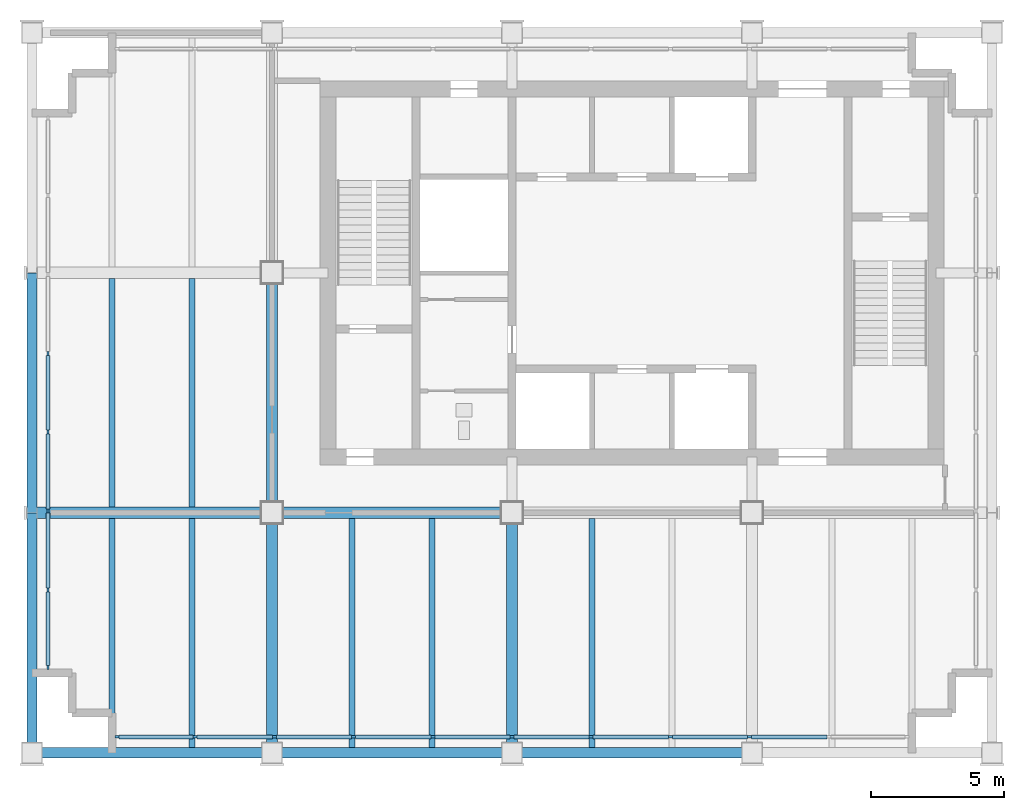
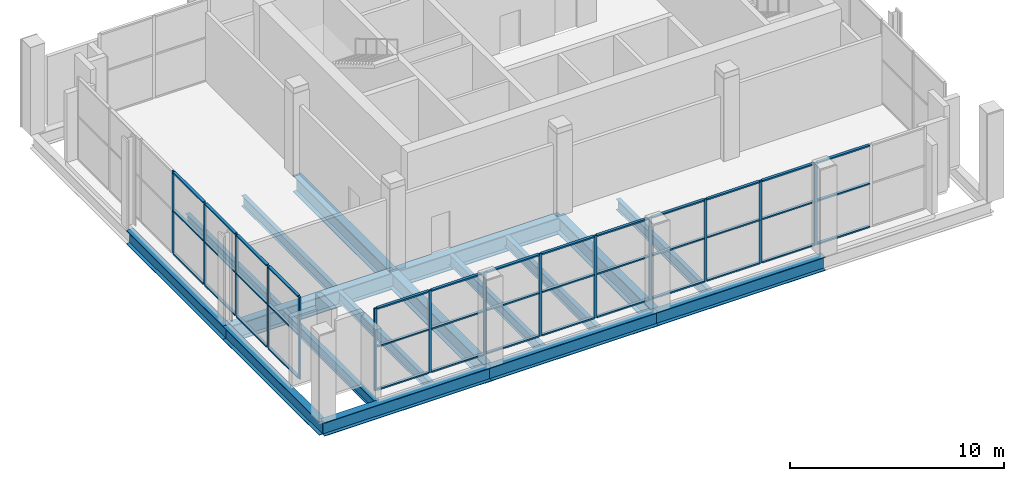
# One storey, part 2 of 10: 53 members, 17 beams, 2 elements without a shape of their own.
"""IFC4 building model written with IfcOpenShell, lengths in metres."""

from ifc_helpers import new_model, si_unit, direction, frame, origin, origin_2d, place, context, subcontext, project, spatial, rectangle, i_section, extrude, material, material_profile, profile_set, type_object, element, aggregate, save


model = new_model("IFC4")

# Units and contexts
model_context = context("Model", 3, precision=1e-05, world=origin(), true_north=direction((0.0, 1.0)))
body_context = subcontext(model_context, "Body", "Model", "MODEL_VIEW")
ifc_project = project(units=[si_unit("LENGTHUNIT", "METRE"), si_unit("AREAUNIT", "SQUARE_METRE"), si_unit("VOLUMEUNIT", "CUBIC_METRE"), si_unit("PLANEANGLEUNIT", "RADIAN"), si_unit("MASSUNIT", "GRAM", prefix="KILO")], contexts=[model_context])

# Site, building, storey
site_placement = place(None, origin())
site = spatial("IfcSite", under=ifc_project, at=site_placement, CompositionType="ELEMENT")
building_placement = place(site_placement, origin())
building = spatial("IfcBuilding", under=site, at=building_placement, Name="Loomwork Tower", CompositionType="ELEMENT")
storey_placement = place(building_placement, frame((0.0, 0.0, 274.800048828125)))
storey = spatial("IfcBuildingStorey", under=building, at=storey_placement, Name="L75", CompositionType="ELEMENT", Elevation=274.800048828125)

# Beams
ifc_material_1 = material(Name="Steel ASTM A992", Category="steel")
ifc_material_profile_1 = material_profile(ifc_material_1, i_section(OverallWidth=0.424072265625, OverallDepth=0.947509765625, WebThickness=0.02392578125, FlangeThickness=0.042724609375, at=origin_2d()), Name="W36x302")
ifc_profile_set_1 = profile_set([ifc_material_profile_1], Name="Steel ASTM A992")
beam_type_1 = type_object("IfcBeamType", Name="PLANT FLOOR GIRDER W36x302", PredefinedType="BEAM", material=ifc_profile_set_1)
for number, where, z_axis, x_axis, name in (
    (1, (0.0, 9.0, -0.723876953125), (1.0, 0.0, 0.0), (0.0, 1.0, 0.0), "Plant Floor Girder E/2-E/3 L75"),
    (2, (9.0, 9.0, -0.723876953125), (1.0, 0.0, 0.0), (0.0, 1.0, 0.0), "Plant Floor Girder E/3-E/4 L75"),
    (3, (9.0, 0.0, -0.723876953125), (0.0, 1.0, 0.0), (-1.0, 0.0, 0.0), "Plant Floor Girder D/3-E/3 L75"),
    (4, (9.0, 9.0, -0.723876953125), (0.0, 1.0, 0.0), (-1.0, 0.0, 0.0), "Plant Floor Girder E/3-F/3 L75"),
    (5, (18.0, 0.0, -0.723876953125), (0.0, 1.0, 0.0), (-1.0, 0.0, 0.0), "Plant Floor Girder D/4-E/4 L75"),
):
    element("IfcBeam", number, at=place(storey_placement, frame(where, z_axis=z_axis, x_axis=x_axis)), inside=storey, type_object=beam_type_1, Name=name, PredefinedType="BEAM", context=body_context, shape_type="SweptSolid", body=[
        extrude(i_section(OverallWidth=0.424072265625, OverallDepth=0.947509765625, WebThickness=0.02392578125, FlangeThickness=0.042724609375, at=origin_2d()), origin(), (0.0, 0.0, 1.0), 9.0),
    ])
ifc_material_2 = material(Name="Steel ASTM A992", Category="steel")
ifc_material_profile_2 = material_profile(ifc_material_2, i_section(OverallWidth=0.228271484375, OverallDepth=0.607177734375, WebThickness=0.01123046875, FlangeThickness=0.017333984375, at=origin_2d()), Name="W24x76")
ifc_profile_set_2 = profile_set([ifc_material_profile_2], Name="Steel ASTM A992")
beam_type_2 = type_object("IfcBeamType", Name="PLANT FLOOR JOIST W24x76", PredefinedType="JOIST", material=ifc_profile_set_2)
for number, where, z_axis, x_axis, name in (
    (6, (3.0, 0.18994140625, -0.553466796875), (0.0, 1.0, 0.0), (-1.0, 0.0, 0.0), "Plant Floor Joist 3.000,0.000-3.000,9.000 L75"),
    (7, (6.0, 0.18994140625, -0.553466796875), (0.0, 1.0, 0.0), (-1.0, 0.0, 0.0), "Plant Floor Joist 6.000,0.000-6.000,9.000 L75"),
):
    element("IfcBeam", number, at=place(storey_placement, frame(where, z_axis=z_axis, x_axis=x_axis)), inside=storey, type_object=beam_type_2, Name=name, PredefinedType="JOIST", context=body_context, shape_type="SweptSolid", body=[
        extrude(i_section(OverallWidth=0.228271484375, OverallDepth=0.607177734375, WebThickness=0.01123046875, FlangeThickness=0.017333984375, at=origin_2d()), origin(), (0.0, 0.0, 1.0), 8.59814453125),
    ])
for number, where, z_axis, x_axis, name in (
    (8, (3.0, 9.2119140625, -0.553466796875), (0.0, 1.0, 0.0), (-1.0, 0.0, 0.0), "Plant Floor Joist 3.000,9.000-3.000,18.000 L75"),
    (9, (6.0, 9.2119140625, -0.553466796875), (0.0, 1.0, 0.0), (-1.0, 0.0, 0.0), "Plant Floor Joist 6.000,9.000-6.000,18.000 L75"),
):
    element("IfcBeam", number, at=place(storey_placement, frame(where, z_axis=z_axis, x_axis=x_axis)), inside=storey, type_object=beam_type_2, Name=name, PredefinedType="JOIST", context=body_context, shape_type="SweptSolid", body=[
        extrude(i_section(OverallWidth=0.228271484375, OverallDepth=0.607177734375, WebThickness=0.01123046875, FlangeThickness=0.017333984375, at=origin_2d()), origin(), (0.0, 0.0, 1.0), 8.576171875),
    ])
for number, where, z_axis, x_axis, name in (
    (10, (12.0, 0.18994140625, -0.553466796875), (0.0, 1.0, 0.0), (-1.0, 0.0, 0.0), "Plant Floor Joist 12.000,0.000-12.000,9.000 L75"),
    (11, (15.0, 0.18994140625, -0.553466796875), (0.0, 1.0, 0.0), (-1.0, 0.0, 0.0), "Plant Floor Joist 15.000,0.000-15.000,9.000 L75"),
    (12, (21.0, 0.18994140625, -0.553466796875), (0.0, 1.0, 0.0), (-1.0, 0.0, 0.0), "Plant Floor Joist 21.000,0.000-21.000,9.000 L75"),
):
    element("IfcBeam", number, at=place(storey_placement, frame(where, z_axis=z_axis, x_axis=x_axis)), inside=storey, type_object=beam_type_2, Name=name, PredefinedType="JOIST", context=body_context, shape_type="SweptSolid", body=[
        extrude(i_section(OverallWidth=0.228271484375, OverallDepth=0.607177734375, WebThickness=0.01123046875, FlangeThickness=0.017333984375, at=origin_2d()), origin(), (0.0, 0.0, 1.0), 8.59814453125),
    ])

# Curtain wall, members
ifc_material_3 = material(Name="Aluminium louvre frame", Category="aluminium")
curtain_wall_type = type_object("IfcCurtainWallType", Name="Plant floor louvre screen", PredefinedType="NOTDEFINED", material=ifc_material_3)
curtain_wall_1_placement = place(storey_placement, origin())
curtain_wall_1 = element("IfcCurtainWall", 13, at=curtain_wall_1_placement, inside=storey, type_object=curtain_wall_type, Name="Plant floor louvre screen cw/S", PredefinedType="NOTDEFINED")
ifc_material_4 = material(Name="Aluminium louvre frame", Category="aluminium")
ifc_material_profile_3 = material_profile(ifc_material_4, rectangle(XDim=0.080078125, YDim=0.14990234375, at=origin_2d()), Name="AL 80x150")
ifc_profile_set_3 = profile_set([ifc_material_profile_3], Name="Aluminium louvre frame")
member_type_1 = type_object("IfcMemberType", Name="Plant floor louvre screen mullion", PredefinedType="MULLION", material=ifc_profile_set_3)
member_1_placement = place(storey_placement, frame((3.18994140625, 0.60009765625, 0.0), z_axis=(0.0, 0.0, 1.0), x_axis=(0.0, 1.0, 0.0)))
member_1 = element("IfcMember", 14, at=member_1_placement, type_object=member_type_1, Name="CW4 mullion 1", PredefinedType="MULLION", context=body_context, shape_type="SweptSolid", body=[
    extrude(rectangle(XDim=0.080078125, YDim=0.14990234375, at=origin_2d()), origin(), (0.0, 0.0, 1.0), 4.699951171875),
])
member_2_placement = place(storey_placement, frame((6.1201171875, 0.60009765625, 0.0), z_axis=(0.0, 0.0, 1.0), x_axis=(0.0, 1.0, 0.0)))
member_2 = element("IfcMember", 15, at=member_2_placement, type_object=member_type_1, Name="CW4 mullion 2", PredefinedType="MULLION", context=body_context, shape_type="SweptSolid", body=[
    extrude(rectangle(XDim=0.080078125, YDim=0.14990234375, at=origin_2d()), origin(), (0.0, 0.0, 1.0), 4.699951171875),
])
member_3_placement = place(storey_placement, frame((9.090087890625, 0.60009765625, 0.0), z_axis=(0.0, 0.0, 1.0), x_axis=(0.0, 1.0, 0.0)))
member_3 = element("IfcMember", 16, at=member_3_placement, type_object=member_type_1, Name="CW4 mullion 3", PredefinedType="MULLION", context=body_context, shape_type="SweptSolid", body=[
    extrude(rectangle(XDim=0.080078125, YDim=0.14990234375, at=origin_2d()), origin(), (0.0, 0.0, 1.0), 4.699951171875),
])
member_4_placement = place(storey_placement, frame((12.06005859375, 0.60009765625, 0.0), z_axis=(0.0, 0.0, 1.0), x_axis=(0.0, 1.0, 0.0)))
member_4 = element("IfcMember", 17, at=member_4_placement, type_object=member_type_1, Name="CW4 mullion 4", PredefinedType="MULLION", context=body_context, shape_type="SweptSolid", body=[
    extrude(rectangle(XDim=0.080078125, YDim=0.14990234375, at=origin_2d()), origin(), (0.0, 0.0, 1.0), 4.699951171875),
])
member_5_placement = place(storey_placement, frame((15.030029296875, 0.60009765625, 0.0), z_axis=(0.0, 0.0, 1.0), x_axis=(0.0, 1.0, 0.0)))
member_5 = element("IfcMember", 18, at=member_5_placement, type_object=member_type_1, Name="CW4 mullion 5", PredefinedType="MULLION", context=body_context, shape_type="SweptSolid", body=[
    extrude(rectangle(XDim=0.080078125, YDim=0.14990234375, at=origin_2d()), origin(), (0.0, 0.0, 1.0), 4.699951171875),
])
member_6_placement = place(storey_placement, frame((18.0, 0.60009765625, 0.0), z_axis=(0.0, 0.0, 1.0), x_axis=(0.0, 1.0, 0.0)))
member_6 = element("IfcMember", 19, at=member_6_placement, type_object=member_type_1, Name="CW4 mullion 6", PredefinedType="MULLION", context=body_context, shape_type="SweptSolid", body=[
    extrude(rectangle(XDim=0.080078125, YDim=0.14990234375, at=origin_2d()), origin(), (0.0, 0.0, 1.0), 4.699951171875),
])
member_7_placement = place(storey_placement, frame((20.969970703125, 0.60009765625, 0.0), z_axis=(0.0, 0.0, 1.0), x_axis=(0.0, 1.0, 0.0)))
member_7 = element("IfcMember", 20, at=member_7_placement, type_object=member_type_1, Name="CW4 mullion 7", PredefinedType="MULLION", context=body_context, shape_type="SweptSolid", body=[
    extrude(rectangle(XDim=0.080078125, YDim=0.14990234375, at=origin_2d()), origin(), (0.0, 0.0, 1.0), 4.699951171875),
])
member_8_placement = place(storey_placement, frame((23.93994140625, 0.60009765625, 0.0), z_axis=(0.0, 0.0, 1.0), x_axis=(0.0, 1.0, 0.0)))
member_8 = element("IfcMember", 21, at=member_8_placement, type_object=member_type_1, Name="CW4 mullion 8", PredefinedType="MULLION", context=body_context, shape_type="SweptSolid", body=[
    extrude(rectangle(XDim=0.080078125, YDim=0.14990234375, at=origin_2d()), origin(), (0.0, 0.0, 1.0), 4.699951171875),
])
member_9_placement = place(storey_placement, frame((26.909912109375, 0.60009765625, 0.0), z_axis=(0.0, 0.0, 1.0), x_axis=(0.0, 1.0, 0.0)))
member_9 = element("IfcMember", 22, at=member_9_placement, type_object=member_type_1, Name="CW4 mullion 9", PredefinedType="MULLION", context=body_context, shape_type="SweptSolid", body=[
    extrude(rectangle(XDim=0.080078125, YDim=0.14990234375, at=origin_2d()), origin(), (0.0, 0.0, 1.0), 4.699951171875),
])

curtain_wall_2_placement = place(storey_placement, origin())
curtain_wall_2 = element("IfcCurtainWall", 23, at=curtain_wall_2_placement, inside=storey, type_object=curtain_wall_type, Name="Plant floor louvre screen cw/W", PredefinedType="NOTDEFINED")
member_10_placement = place(storey_placement, frame((0.60009765625, 14.978515625, 0.0), z_axis=(0.0, 0.0, 1.0), x_axis=(1.0, 0.0, 0.0)))
member_10 = element("IfcMember", 24, at=member_10_placement, type_object=member_type_1, Name="CW4 mullion 4", PredefinedType="MULLION", context=body_context, shape_type="SweptSolid", body=[
    extrude(rectangle(XDim=0.080078125, YDim=0.14990234375, at=origin_2d()), origin(), (0.0, 0.0, 1.0), 4.699951171875),
])
member_11_placement = place(storey_placement, frame((0.60009765625, 12.021484375, 0.0), z_axis=(0.0, 0.0, 1.0), x_axis=(1.0, 0.0, 0.0)))
member_11 = element("IfcMember", 25, at=member_11_placement, type_object=member_type_1, Name="CW4 mullion 5", PredefinedType="MULLION", context=body_context, shape_type="SweptSolid", body=[
    extrude(rectangle(XDim=0.080078125, YDim=0.14990234375, at=origin_2d()), origin(), (0.0, 0.0, 1.0), 4.699951171875),
])
member_12_placement = place(storey_placement, frame((0.60009765625, 9.064208984375, 0.0), z_axis=(0.0, 0.0, 1.0), x_axis=(1.0, 0.0, 0.0)))
member_12 = element("IfcMember", 26, at=member_12_placement, type_object=member_type_1, Name="CW4 mullion 6", PredefinedType="MULLION", context=body_context, shape_type="SweptSolid", body=[
    extrude(rectangle(XDim=0.080078125, YDim=0.14990234375, at=origin_2d()), origin(), (0.0, 0.0, 1.0), 4.699951171875),
])
member_13_placement = place(storey_placement, frame((0.60009765625, 6.107177734375, 0.0), z_axis=(0.0, 0.0, 1.0), x_axis=(1.0, 0.0, 0.0)))
member_13 = element("IfcMember", 27, at=member_13_placement, type_object=member_type_1, Name="CW4 mullion 7", PredefinedType="MULLION", context=body_context, shape_type="SweptSolid", body=[
    extrude(rectangle(XDim=0.080078125, YDim=0.14990234375, at=origin_2d()), origin(), (0.0, 0.0, 1.0), 4.699951171875),
])
member_14_placement = place(storey_placement, frame((0.60009765625, 3.18994140625, 0.0), z_axis=(0.0, 0.0, 1.0), x_axis=(1.0, 0.0, 0.0)))
member_14 = element("IfcMember", 28, at=member_14_placement, type_object=member_type_1, Name="CW4 mullion 8", PredefinedType="MULLION", context=body_context, shape_type="SweptSolid", body=[
    extrude(rectangle(XDim=0.080078125, YDim=0.14990234375, at=origin_2d()), origin(), (0.0, 0.0, 1.0), 4.699951171875),
])

# Member
ifc_material_5 = material(Name="Aluminium louvre frame", Category="aluminium")
ifc_material_profile_4 = material_profile(ifc_material_5, rectangle(XDim=0.14990234375, YDim=0.080078125, at=origin_2d()), Name="AL 80x150")
ifc_profile_set_4 = profile_set([ifc_material_profile_4], Name="Aluminium louvre frame")
member_type_2 = type_object("IfcMemberType", Name="Plant floor louvre screen transom", PredefinedType="USERDEFINED", material=ifc_profile_set_4)
member_15_placement = place(storey_placement, frame((3.264892578125, 0.60009765625, 0.0400390625), z_axis=(1.0, 0.0, 0.0), x_axis=(0.0, 1.0, 0.0)))
member_15 = element("IfcMember", 29, at=member_15_placement, type_object=member_type_2, Name="CW4 transom 1.1", ObjectType="TRANSOM", PredefinedType="USERDEFINED", context=body_context, shape_type="SweptSolid", body=[
    extrude(rectangle(XDim=0.14990234375, YDim=0.080078125, at=origin_2d()), origin(), (0.0, 0.0, 1.0), 2.780029296875),
])

member_16_placement = place(storey_placement, frame((3.264892578125, 0.60009765625, 2.5), z_axis=(1.0, 0.0, 0.0), x_axis=(0.0, 1.0, 0.0)))
member_16 = element("IfcMember", 30, at=member_16_placement, type_object=member_type_2, Name="CW4 transom 1.2", ObjectType="TRANSOM", PredefinedType="USERDEFINED", context=body_context, shape_type="SweptSolid", body=[
    extrude(rectangle(XDim=0.14990234375, YDim=0.080078125, at=origin_2d()), origin(), (0.0, 0.0, 1.0), 2.780029296875),
])

member_17_placement = place(storey_placement, frame((3.264892578125, 0.60009765625, 4.659912109375), z_axis=(1.0, 0.0, 0.0), x_axis=(0.0, 1.0, 0.0)))
member_17 = element("IfcMember", 31, at=member_17_placement, type_object=member_type_2, Name="CW4 transom 1.3", ObjectType="TRANSOM", PredefinedType="USERDEFINED", context=body_context, shape_type="SweptSolid", body=[
    extrude(rectangle(XDim=0.14990234375, YDim=0.080078125, at=origin_2d()), origin(), (0.0, 0.0, 1.0), 2.780029296875),
])

member_18_placement = place(storey_placement, frame((6.195068359375, 0.60009765625, 0.0400390625), z_axis=(1.0, 0.0, 0.0), x_axis=(0.0, 1.0, 0.0)))
member_18 = element("IfcMember", 32, at=member_18_placement, type_object=member_type_2, Name="CW4 transom 2.1", ObjectType="TRANSOM", PredefinedType="USERDEFINED", context=body_context, shape_type="SweptSolid", body=[
    extrude(rectangle(XDim=0.14990234375, YDim=0.080078125, at=origin_2d()), origin(), (0.0, 0.0, 1.0), 2.81982421875),
])

member_19_placement = place(storey_placement, frame((6.195068359375, 0.60009765625, 2.5), z_axis=(1.0, 0.0, 0.0), x_axis=(0.0, 1.0, 0.0)))
member_19 = element("IfcMember", 33, at=member_19_placement, type_object=member_type_2, Name="CW4 transom 2.2", ObjectType="TRANSOM", PredefinedType="USERDEFINED", context=body_context, shape_type="SweptSolid", body=[
    extrude(rectangle(XDim=0.14990234375, YDim=0.080078125, at=origin_2d()), origin(), (0.0, 0.0, 1.0), 2.81982421875),
])

member_20_placement = place(storey_placement, frame((6.195068359375, 0.60009765625, 4.659912109375), z_axis=(1.0, 0.0, 0.0), x_axis=(0.0, 1.0, 0.0)))
member_20 = element("IfcMember", 34, at=member_20_placement, type_object=member_type_2, Name="CW4 transom 2.3", ObjectType="TRANSOM", PredefinedType="USERDEFINED", context=body_context, shape_type="SweptSolid", body=[
    extrude(rectangle(XDim=0.14990234375, YDim=0.080078125, at=origin_2d()), origin(), (0.0, 0.0, 1.0), 2.81982421875),
])

member_21_placement = place(storey_placement, frame((9.1650390625, 0.60009765625, 0.0400390625), z_axis=(1.0, 0.0, 0.0), x_axis=(0.0, 1.0, 0.0)))
member_21 = element("IfcMember", 35, at=member_21_placement, type_object=member_type_2, Name="CW4 transom 3.1", ObjectType="TRANSOM", PredefinedType="USERDEFINED", context=body_context, shape_type="SweptSolid", body=[
    extrude(rectangle(XDim=0.14990234375, YDim=0.080078125, at=origin_2d()), origin(), (0.0, 0.0, 1.0), 2.820068359375),
])

member_22_placement = place(storey_placement, frame((9.1650390625, 0.60009765625, 2.5), z_axis=(1.0, 0.0, 0.0), x_axis=(0.0, 1.0, 0.0)))
member_22 = element("IfcMember", 36, at=member_22_placement, type_object=member_type_2, Name="CW4 transom 3.2", ObjectType="TRANSOM", PredefinedType="USERDEFINED", context=body_context, shape_type="SweptSolid", body=[
    extrude(rectangle(XDim=0.14990234375, YDim=0.080078125, at=origin_2d()), origin(), (0.0, 0.0, 1.0), 2.820068359375),
])

member_23_placement = place(storey_placement, frame((9.1650390625, 0.60009765625, 4.659912109375), z_axis=(1.0, 0.0, 0.0), x_axis=(0.0, 1.0, 0.0)))
member_23 = element("IfcMember", 37, at=member_23_placement, type_object=member_type_2, Name="CW4 transom 3.3", ObjectType="TRANSOM", PredefinedType="USERDEFINED", context=body_context, shape_type="SweptSolid", body=[
    extrude(rectangle(XDim=0.14990234375, YDim=0.080078125, at=origin_2d()), origin(), (0.0, 0.0, 1.0), 2.820068359375),
])

member_24_placement = place(storey_placement, frame((12.135009765625, 0.60009765625, 0.0400390625), z_axis=(1.0, 0.0, 0.0), x_axis=(0.0, 1.0, 0.0)))
member_24 = element("IfcMember", 38, at=member_24_placement, type_object=member_type_2, Name="CW4 transom 4.1", ObjectType="TRANSOM", PredefinedType="USERDEFINED", context=body_context, shape_type="SweptSolid", body=[
    extrude(rectangle(XDim=0.14990234375, YDim=0.080078125, at=origin_2d()), origin(), (0.0, 0.0, 1.0), 2.820068359375),
])

member_25_placement = place(storey_placement, frame((12.135009765625, 0.60009765625, 2.5), z_axis=(1.0, 0.0, 0.0), x_axis=(0.0, 1.0, 0.0)))
member_25 = element("IfcMember", 39, at=member_25_placement, type_object=member_type_2, Name="CW4 transom 4.2", ObjectType="TRANSOM", PredefinedType="USERDEFINED", context=body_context, shape_type="SweptSolid", body=[
    extrude(rectangle(XDim=0.14990234375, YDim=0.080078125, at=origin_2d()), origin(), (0.0, 0.0, 1.0), 2.820068359375),
])

member_26_placement = place(storey_placement, frame((12.135009765625, 0.60009765625, 4.659912109375), z_axis=(1.0, 0.0, 0.0), x_axis=(0.0, 1.0, 0.0)))
member_26 = element("IfcMember", 40, at=member_26_placement, type_object=member_type_2, Name="CW4 transom 4.3", ObjectType="TRANSOM", PredefinedType="USERDEFINED", context=body_context, shape_type="SweptSolid", body=[
    extrude(rectangle(XDim=0.14990234375, YDim=0.080078125, at=origin_2d()), origin(), (0.0, 0.0, 1.0), 2.820068359375),
])

member_27_placement = place(storey_placement, frame((15.10498046875, 0.60009765625, 0.0400390625), z_axis=(1.0, 0.0, 0.0), x_axis=(0.0, 1.0, 0.0)))
member_27 = element("IfcMember", 41, at=member_27_placement, type_object=member_type_2, Name="CW4 transom 5.1", ObjectType="TRANSOM", PredefinedType="USERDEFINED", context=body_context, shape_type="SweptSolid", body=[
    extrude(rectangle(XDim=0.14990234375, YDim=0.080078125, at=origin_2d()), origin(), (0.0, 0.0, 1.0), 2.820068359375),
])

member_28_placement = place(storey_placement, frame((15.10498046875, 0.60009765625, 2.5), z_axis=(1.0, 0.0, 0.0), x_axis=(0.0, 1.0, 0.0)))
member_28 = element("IfcMember", 42, at=member_28_placement, type_object=member_type_2, Name="CW4 transom 5.2", ObjectType="TRANSOM", PredefinedType="USERDEFINED", context=body_context, shape_type="SweptSolid", body=[
    extrude(rectangle(XDim=0.14990234375, YDim=0.080078125, at=origin_2d()), origin(), (0.0, 0.0, 1.0), 2.820068359375),
])

member_29_placement = place(storey_placement, frame((15.10498046875, 0.60009765625, 4.659912109375), z_axis=(1.0, 0.0, 0.0), x_axis=(0.0, 1.0, 0.0)))
member_29 = element("IfcMember", 43, at=member_29_placement, type_object=member_type_2, Name="CW4 transom 5.3", ObjectType="TRANSOM", PredefinedType="USERDEFINED", context=body_context, shape_type="SweptSolid", body=[
    extrude(rectangle(XDim=0.14990234375, YDim=0.080078125, at=origin_2d()), origin(), (0.0, 0.0, 1.0), 2.820068359375),
])

member_30_placement = place(storey_placement, frame((18.074951171875, 0.60009765625, 0.0400390625), z_axis=(1.0, 0.0, 0.0), x_axis=(0.0, 1.0, 0.0)))
member_30 = element("IfcMember", 44, at=member_30_placement, type_object=member_type_2, Name="CW4 transom 6.1", ObjectType="TRANSOM", PredefinedType="USERDEFINED", context=body_context, shape_type="SweptSolid", body=[
    extrude(rectangle(XDim=0.14990234375, YDim=0.080078125, at=origin_2d()), origin(), (0.0, 0.0, 1.0), 2.820068359375),
])

member_31_placement = place(storey_placement, frame((18.074951171875, 0.60009765625, 2.5), z_axis=(1.0, 0.0, 0.0), x_axis=(0.0, 1.0, 0.0)))
member_31 = element("IfcMember", 45, at=member_31_placement, type_object=member_type_2, Name="CW4 transom 6.2", ObjectType="TRANSOM", PredefinedType="USERDEFINED", context=body_context, shape_type="SweptSolid", body=[
    extrude(rectangle(XDim=0.14990234375, YDim=0.080078125, at=origin_2d()), origin(), (0.0, 0.0, 1.0), 2.820068359375),
])

member_32_placement = place(storey_placement, frame((18.074951171875, 0.60009765625, 4.659912109375), z_axis=(1.0, 0.0, 0.0), x_axis=(0.0, 1.0, 0.0)))
member_32 = element("IfcMember", 46, at=member_32_placement, type_object=member_type_2, Name="CW4 transom 6.3", ObjectType="TRANSOM", PredefinedType="USERDEFINED", context=body_context, shape_type="SweptSolid", body=[
    extrude(rectangle(XDim=0.14990234375, YDim=0.080078125, at=origin_2d()), origin(), (0.0, 0.0, 1.0), 2.820068359375),
])

member_33_placement = place(storey_placement, frame((21.044921875, 0.60009765625, 0.0400390625), z_axis=(1.0, 0.0, 0.0), x_axis=(0.0, 1.0, 0.0)))
member_33 = element("IfcMember", 47, at=member_33_placement, type_object=member_type_2, Name="CW4 transom 7.1", ObjectType="TRANSOM", PredefinedType="USERDEFINED", context=body_context, shape_type="SweptSolid", body=[
    extrude(rectangle(XDim=0.14990234375, YDim=0.080078125, at=origin_2d()), origin(), (0.0, 0.0, 1.0), 2.820068359375),
])

member_34_placement = place(storey_placement, frame((21.044921875, 0.60009765625, 2.5), z_axis=(1.0, 0.0, 0.0), x_axis=(0.0, 1.0, 0.0)))
member_34 = element("IfcMember", 48, at=member_34_placement, type_object=member_type_2, Name="CW4 transom 7.2", ObjectType="TRANSOM", PredefinedType="USERDEFINED", context=body_context, shape_type="SweptSolid", body=[
    extrude(rectangle(XDim=0.14990234375, YDim=0.080078125, at=origin_2d()), origin(), (0.0, 0.0, 1.0), 2.820068359375),
])

member_35_placement = place(storey_placement, frame((21.044921875, 0.60009765625, 4.659912109375), z_axis=(1.0, 0.0, 0.0), x_axis=(0.0, 1.0, 0.0)))
member_35 = element("IfcMember", 49, at=member_35_placement, type_object=member_type_2, Name="CW4 transom 7.3", ObjectType="TRANSOM", PredefinedType="USERDEFINED", context=body_context, shape_type="SweptSolid", body=[
    extrude(rectangle(XDim=0.14990234375, YDim=0.080078125, at=origin_2d()), origin(), (0.0, 0.0, 1.0), 2.820068359375),
])

member_36_placement = place(storey_placement, frame((24.014892578125, 0.60009765625, 0.0400390625), z_axis=(1.0, 0.0, 0.0), x_axis=(0.0, 1.0, 0.0)))
member_36 = element("IfcMember", 50, at=member_36_placement, type_object=member_type_2, Name="CW4 transom 8.1", ObjectType="TRANSOM", PredefinedType="USERDEFINED", context=body_context, shape_type="SweptSolid", body=[
    extrude(rectangle(XDim=0.14990234375, YDim=0.080078125, at=origin_2d()), origin(), (0.0, 0.0, 1.0), 2.820068359375),
])

member_37_placement = place(storey_placement, frame((24.014892578125, 0.60009765625, 2.5), z_axis=(1.0, 0.0, 0.0), x_axis=(0.0, 1.0, 0.0)))
member_37 = element("IfcMember", 51, at=member_37_placement, type_object=member_type_2, Name="CW4 transom 8.2", ObjectType="TRANSOM", PredefinedType="USERDEFINED", context=body_context, shape_type="SweptSolid", body=[
    extrude(rectangle(XDim=0.14990234375, YDim=0.080078125, at=origin_2d()), origin(), (0.0, 0.0, 1.0), 2.820068359375),
])

member_38_placement = place(storey_placement, frame((24.014892578125, 0.60009765625, 4.659912109375), z_axis=(1.0, 0.0, 0.0), x_axis=(0.0, 1.0, 0.0)))
member_38 = element("IfcMember", 52, at=member_38_placement, type_object=member_type_2, Name="CW4 transom 8.3", ObjectType="TRANSOM", PredefinedType="USERDEFINED", context=body_context, shape_type="SweptSolid", body=[
    extrude(rectangle(XDim=0.14990234375, YDim=0.080078125, at=origin_2d()), origin(), (0.0, 0.0, 1.0), 2.820068359375),
])

member_39_placement = place(storey_placement, frame((26.985107421875, 0.60009765625, 0.0400390625), z_axis=(1.0, 0.0, 0.0), x_axis=(0.0, 1.0, 0.0)))
member_39 = element("IfcMember", 53, at=member_39_placement, type_object=member_type_2, Name="CW4 transom 9.1", ObjectType="TRANSOM", PredefinedType="USERDEFINED", context=body_context, shape_type="SweptSolid", body=[
    extrude(rectangle(XDim=0.14990234375, YDim=0.080078125, at=origin_2d()), origin(), (0.0, 0.0, 1.0), 2.81982421875),
])

member_40_placement = place(storey_placement, frame((26.985107421875, 0.60009765625, 2.5), z_axis=(1.0, 0.0, 0.0), x_axis=(0.0, 1.0, 0.0)))
member_40 = element("IfcMember", 54, at=member_40_placement, type_object=member_type_2, Name="CW4 transom 9.2", ObjectType="TRANSOM", PredefinedType="USERDEFINED", context=body_context, shape_type="SweptSolid", body=[
    extrude(rectangle(XDim=0.14990234375, YDim=0.080078125, at=origin_2d()), origin(), (0.0, 0.0, 1.0), 2.81982421875),
])

member_41_placement = place(storey_placement, frame((26.985107421875, 0.60009765625, 4.659912109375), z_axis=(1.0, 0.0, 0.0), x_axis=(0.0, 1.0, 0.0)))
member_41 = element("IfcMember", 55, at=member_41_placement, type_object=member_type_2, Name="CW4 transom 9.3", ObjectType="TRANSOM", PredefinedType="USERDEFINED", context=body_context, shape_type="SweptSolid", body=[
    extrude(rectangle(XDim=0.14990234375, YDim=0.080078125, at=origin_2d()), origin(), (0.0, 0.0, 1.0), 2.81982421875),
])

aggregate(curtain_wall_1, [member_1, member_2, member_3, member_4, member_5, member_6, member_7, member_8, member_9, member_15, member_16, member_17, member_18, member_19, member_20, member_21, member_22, member_23, member_24, member_25, member_26, member_27, member_28, member_29, member_30, member_31, member_32, member_33, member_34, member_35, member_36, member_37, member_38, member_39, member_40, member_41])

member_42_placement = place(storey_placement, frame((0.60009765625, 14.903564453125, 0.0400390625), z_axis=(0.0, -1.0, 0.0), x_axis=(1.0, 0.0, 0.0)))
member_42 = element("IfcMember", 56, at=member_42_placement, type_object=member_type_2, Name="CW4 transom 4.1", ObjectType="TRANSOM", PredefinedType="USERDEFINED", context=body_context, shape_type="SweptSolid", body=[
    extrude(rectangle(XDim=0.14990234375, YDim=0.080078125, at=origin_2d()), origin(), (0.0, 0.0, 1.0), 2.80712890625),
])

member_43_placement = place(storey_placement, frame((0.60009765625, 14.903564453125, 2.5), z_axis=(0.0, -1.0, 0.0), x_axis=(1.0, 0.0, 0.0)))
member_43 = element("IfcMember", 57, at=member_43_placement, type_object=member_type_2, Name="CW4 transom 4.2", ObjectType="TRANSOM", PredefinedType="USERDEFINED", context=body_context, shape_type="SweptSolid", body=[
    extrude(rectangle(XDim=0.14990234375, YDim=0.080078125, at=origin_2d()), origin(), (0.0, 0.0, 1.0), 2.80712890625),
])

member_44_placement = place(storey_placement, frame((0.60009765625, 14.903564453125, 4.659912109375), z_axis=(0.0, -1.0, 0.0), x_axis=(1.0, 0.0, 0.0)))
member_44 = element("IfcMember", 58, at=member_44_placement, type_object=member_type_2, Name="CW4 transom 4.3", ObjectType="TRANSOM", PredefinedType="USERDEFINED", context=body_context, shape_type="SweptSolid", body=[
    extrude(rectangle(XDim=0.14990234375, YDim=0.080078125, at=origin_2d()), origin(), (0.0, 0.0, 1.0), 2.80712890625),
])

member_45_placement = place(storey_placement, frame((0.60009765625, 11.946533203125, 0.0400390625), z_axis=(0.0, -1.0, 0.0), x_axis=(1.0, 0.0, 0.0)))
member_45 = element("IfcMember", 59, at=member_45_placement, type_object=member_type_2, Name="CW4 transom 5.1", ObjectType="TRANSOM", PredefinedType="USERDEFINED", context=body_context, shape_type="SweptSolid", body=[
    extrude(rectangle(XDim=0.14990234375, YDim=0.080078125, at=origin_2d()), origin(), (0.0, 0.0, 1.0), 2.80712890625),
])

member_46_placement = place(storey_placement, frame((0.60009765625, 11.946533203125, 2.5), z_axis=(0.0, -1.0, 0.0), x_axis=(1.0, 0.0, 0.0)))
member_46 = element("IfcMember", 60, at=member_46_placement, type_object=member_type_2, Name="CW4 transom 5.2", ObjectType="TRANSOM", PredefinedType="USERDEFINED", context=body_context, shape_type="SweptSolid", body=[
    extrude(rectangle(XDim=0.14990234375, YDim=0.080078125, at=origin_2d()), origin(), (0.0, 0.0, 1.0), 2.80712890625),
])

member_47_placement = place(storey_placement, frame((0.60009765625, 11.946533203125, 4.659912109375), z_axis=(0.0, -1.0, 0.0), x_axis=(1.0, 0.0, 0.0)))
member_47 = element("IfcMember", 61, at=member_47_placement, type_object=member_type_2, Name="CW4 transom 5.3", ObjectType="TRANSOM", PredefinedType="USERDEFINED", context=body_context, shape_type="SweptSolid", body=[
    extrude(rectangle(XDim=0.14990234375, YDim=0.080078125, at=origin_2d()), origin(), (0.0, 0.0, 1.0), 2.80712890625),
])

member_48_placement = place(storey_placement, frame((0.60009765625, 8.9892578125, 0.0400390625), z_axis=(0.0, -1.0, 0.0), x_axis=(1.0, 0.0, 0.0)))
member_48 = element("IfcMember", 62, at=member_48_placement, type_object=member_type_2, Name="CW4 transom 6.1", ObjectType="TRANSOM", PredefinedType="USERDEFINED", context=body_context, shape_type="SweptSolid", body=[
    extrude(rectangle(XDim=0.14990234375, YDim=0.080078125, at=origin_2d()), origin(), (0.0, 0.0, 1.0), 2.80712890625),
])

member_49_placement = place(storey_placement, frame((0.60009765625, 8.9892578125, 2.5), z_axis=(0.0, -1.0, 0.0), x_axis=(1.0, 0.0, 0.0)))
member_49 = element("IfcMember", 63, at=member_49_placement, type_object=member_type_2, Name="CW4 transom 6.2", ObjectType="TRANSOM", PredefinedType="USERDEFINED", context=body_context, shape_type="SweptSolid", body=[
    extrude(rectangle(XDim=0.14990234375, YDim=0.080078125, at=origin_2d()), origin(), (0.0, 0.0, 1.0), 2.80712890625),
])

member_50_placement = place(storey_placement, frame((0.60009765625, 8.9892578125, 4.659912109375), z_axis=(0.0, -1.0, 0.0), x_axis=(1.0, 0.0, 0.0)))
member_50 = element("IfcMember", 64, at=member_50_placement, type_object=member_type_2, Name="CW4 transom 6.3", ObjectType="TRANSOM", PredefinedType="USERDEFINED", context=body_context, shape_type="SweptSolid", body=[
    extrude(rectangle(XDim=0.14990234375, YDim=0.080078125, at=origin_2d()), origin(), (0.0, 0.0, 1.0), 2.80712890625),
])

member_51_placement = place(storey_placement, frame((0.60009765625, 6.0322265625, 0.0400390625), z_axis=(0.0, -1.0, 0.0), x_axis=(1.0, 0.0, 0.0)))
member_51 = element("IfcMember", 65, at=member_51_placement, type_object=member_type_2, Name="CW4 transom 7.1", ObjectType="TRANSOM", PredefinedType="USERDEFINED", context=body_context, shape_type="SweptSolid", body=[
    extrude(rectangle(XDim=0.14990234375, YDim=0.080078125, at=origin_2d()), origin(), (0.0, 0.0, 1.0), 2.767333984375),
])

member_52_placement = place(storey_placement, frame((0.60009765625, 6.0322265625, 2.5), z_axis=(0.0, -1.0, 0.0), x_axis=(1.0, 0.0, 0.0)))
member_52 = element("IfcMember", 66, at=member_52_placement, type_object=member_type_2, Name="CW4 transom 7.2", ObjectType="TRANSOM", PredefinedType="USERDEFINED", context=body_context, shape_type="SweptSolid", body=[
    extrude(rectangle(XDim=0.14990234375, YDim=0.080078125, at=origin_2d()), origin(), (0.0, 0.0, 1.0), 2.767333984375),
])

member_53_placement = place(storey_placement, frame((0.60009765625, 6.0322265625, 4.659912109375), z_axis=(0.0, -1.0, 0.0), x_axis=(1.0, 0.0, 0.0)))
member_53 = element("IfcMember", 67, at=member_53_placement, type_object=member_type_2, Name="CW4 transom 7.3", ObjectType="TRANSOM", PredefinedType="USERDEFINED", context=body_context, shape_type="SweptSolid", body=[
    extrude(rectangle(XDim=0.14990234375, YDim=0.080078125, at=origin_2d()), origin(), (0.0, 0.0, 1.0), 2.767333984375),
])

aggregate(curtain_wall_2, [member_10, member_11, member_12, member_13, member_14, member_42, member_43, member_44, member_45, member_46, member_47, member_48, member_49, member_50, member_51, member_52, member_53])

# Beams
ifc_material_6 = material(Name="Steel ASTM A992", Category="steel")
ifc_material_profile_5 = material_profile(ifc_material_6, i_section(OverallWidth=0.381103515625, OverallDepth=0.77978515625, WebThickness=0.01806640625, FlangeThickness=0.0302734375, at=origin_2d()), Name="W30x191")
ifc_profile_set_5 = profile_set([ifc_material_profile_5], Name="Steel ASTM A992")
beam_type_3 = type_object("IfcBeamType", Name="SPANDREL GIRDER W30x191", PredefinedType="SPANDREL", material=ifc_profile_set_5)
for number, where, z_axis, x_axis, name in (
    (68, (0.0, 0.0, -0.639892578125), (1.0, 0.0, 0.0), (0.0, 1.0, 0.0), "Spandrel Girder D/2-D/3 L75"),
    (69, (9.0, 0.0, -0.639892578125), (1.0, 0.0, 0.0), (0.0, 1.0, 0.0), "Spandrel Girder D/3-D/4 L75"),
    (70, (18.0, 0.0, -0.639892578125), (1.0, 0.0, 0.0), (0.0, 1.0, 0.0), "Spandrel Girder D/4-D/5 L75"),
    (71, (0.0, 0.0, -0.639892578125), (0.0, 1.0, 0.0), (-1.0, 0.0, 0.0), "Spandrel Girder D/2-E/2 L75"),
    (72, (0.0, 9.0, -0.639892578125), (0.0, 1.0, 0.0), (-1.0, 0.0, 0.0), "Spandrel Girder E/2-F/2 L75"),
):
    element("IfcBeam", number, at=place(storey_placement, frame(where, z_axis=z_axis, x_axis=x_axis)), inside=storey, type_object=beam_type_3, Name=name, PredefinedType="SPANDREL", context=body_context, shape_type="SweptSolid", body=[
        extrude(i_section(OverallWidth=0.381103515625, OverallDepth=0.77978515625, WebThickness=0.01806640625, FlangeThickness=0.0302734375, at=origin_2d()), origin(), (0.0, 0.0, 1.0), 9.0),
    ])

save(model, "model.ifc")
